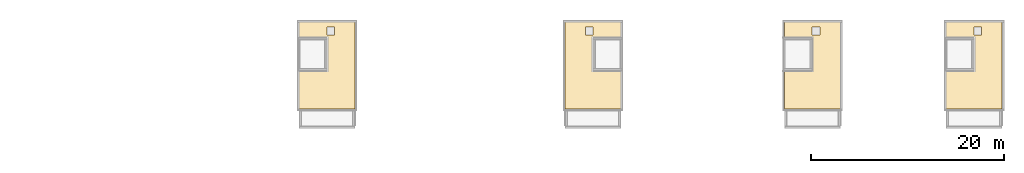
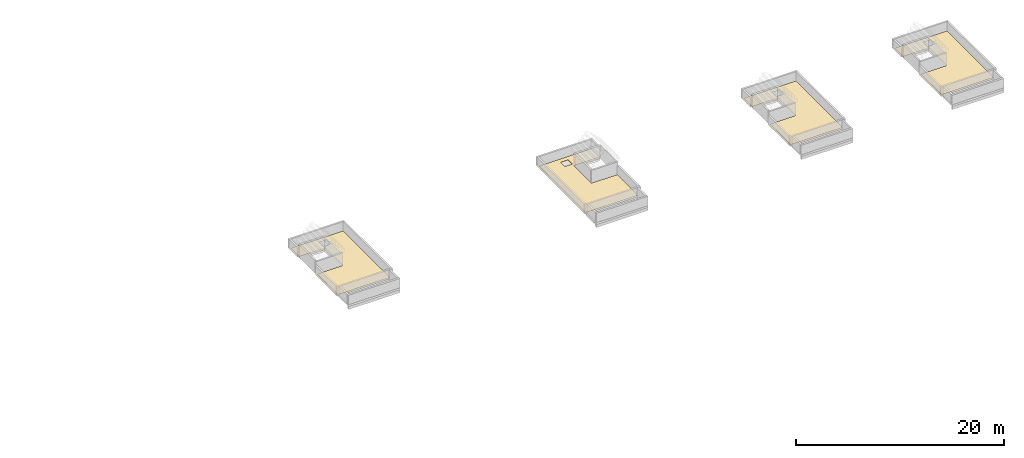
# One storey, part 15 of 15: 4 coverings.
"""IFC4 building model written with IfcOpenShell, lengths in metres."""

from ifc_helpers import new_model, si_unit, direction, frame, origin, place, context, subcontext, project, spatial, polyline, outline, extrude, material, layer, layer_set, type_object, element, save


model = new_model("IFC4")

# Units and contexts
model_context = context("Model", 3, precision=1e-05, world=origin(), true_north=direction((0.0, 1.0)))
body_context = subcontext(model_context, "Body", "Model", "MODEL_VIEW")
ifc_project = project(units=[si_unit("LENGTHUNIT", "METRE"), si_unit("AREAUNIT", "SQUARE_METRE"), si_unit("VOLUMEUNIT", "CUBIC_METRE"), si_unit("PLANEANGLEUNIT", "RADIAN"), si_unit("MASSUNIT", "GRAM", prefix="KILO")], contexts=[model_context])

# Site, building, storey
site_placement = place(None, origin())
site = spatial("IfcSite", under=ifc_project, at=site_placement, CompositionType="ELEMENT")
building_placement = place(site_placement, origin())
building = spatial("IfcBuilding", under=site, at=building_placement, Name="Ridgestep Commons", CompositionType="ELEMENT")
storey_placement = place(building_placement, frame((0.0, 0.0, 45.0)))
storey = spatial("IfcBuildingStorey", under=building, at=storey_placement, Name="L15", CompositionType="ELEMENT", Elevation=45.0)

# Coverings
ifc_material = material(Name="Bitumen membrane, two layer")
ifc_layer = layer(ifc_material, 0.011962890625)
ifc_layer_set = layer_set([ifc_layer], Name="Roof membrane 12")
covering_type = type_object("IfcCoveringType", Name="Roof membrane 12", PredefinedType="ROOFING", material=ifc_layer_set)
covering_1_placement = place(storey_placement, origin())
element("IfcCovering", 1, at=covering_1_placement, inside=storey, type_object=covering_type, Name="Roof membrane D2C", PredefinedType="ROOFING", context=body_context, shape_type="SweptSolid", body=[
    extrude(outline(polyline([(169.5, 22.77490234375), (169.5, 13.75), (163.699951171875, 13.75), (163.699951171875, 17.75), (166.574951171875, 17.75), (166.574951171875, 21.14990234375), (163.699951171875, 21.14990234375), (163.699951171875, 22.77490234375), (169.5, 22.77490234375)]), holes=[polyline([(167.375, 22.25), (166.574951171875, 22.25), (166.574951171875, 21.449951171875), (167.375, 21.449951171875), (167.375, 22.25)])]), origin(), (0.0, 0.0, 1.0), 0.011962890625),
])
covering_2_placement = place(storey_placement, origin())
element("IfcCovering", 2, at=covering_2_placement, inside=storey, type_object=covering_type, Name="Roof membrane D3C", PredefinedType="ROOFING", context=body_context, shape_type="SweptSolid", body=[
    extrude(outline(polyline([(191.300048828125, 13.75), (191.300048828125, 22.77490234375), (197.10009765625, 22.77490234375), (197.10009765625, 21.14990234375), (194.22509765625, 21.14990234375), (194.22509765625, 17.75), (197.10009765625, 17.75), (197.10009765625, 13.75), (191.300048828125, 13.75)]), holes=[polyline([(194.22509765625, 22.25), (193.425048828125, 22.25), (193.425048828125, 21.449951171875), (194.22509765625, 21.449951171875), (194.22509765625, 22.25)])]), origin(), (0.0, 0.0, 1.0), 0.011962890625),
])
covering_3_placement = place(storey_placement, origin())
element("IfcCovering", 3, at=covering_3_placement, inside=storey, type_object=covering_type, Name="Roof membrane D5C", PredefinedType="ROOFING", context=body_context, shape_type="SweptSolid", body=[
    extrude(outline(polyline([(219.89990234375, 22.77490234375), (219.89990234375, 13.75), (214.10009765625, 13.75), (214.10009765625, 17.75), (216.97509765625, 17.75), (216.97509765625, 21.14990234375), (214.10009765625, 21.14990234375), (214.10009765625, 22.77490234375), (219.89990234375, 22.77490234375)]), holes=[polyline([(217.77490234375, 22.25), (216.97509765625, 22.25), (216.97509765625, 21.449951171875), (217.77490234375, 21.449951171875), (217.77490234375, 22.25)])]), origin(), (0.0, 0.0, 1.0), 0.011962890625),
])
covering_4_placement = place(storey_placement, origin())
element("IfcCovering", 4, at=covering_4_placement, inside=storey, type_object=covering_type, Name="Roof membrane D6C", PredefinedType="ROOFING", context=body_context, shape_type="SweptSolid", body=[
    extrude(outline(polyline([(236.699951171875, 22.77490234375), (236.699951171875, 13.75), (230.89990234375, 13.75), (230.89990234375, 17.75), (233.77490234375, 17.75), (233.77490234375, 21.14990234375), (230.89990234375, 21.14990234375), (230.89990234375, 22.77490234375), (236.699951171875, 22.77490234375)]), holes=[polyline([(234.574951171875, 22.25), (233.77490234375, 22.25), (233.77490234375, 21.449951171875), (234.574951171875, 21.449951171875), (234.574951171875, 22.25)])]), origin(), (0.0, 0.0, 1.0), 0.011962890625),
])

save(model, "model.ifc")
